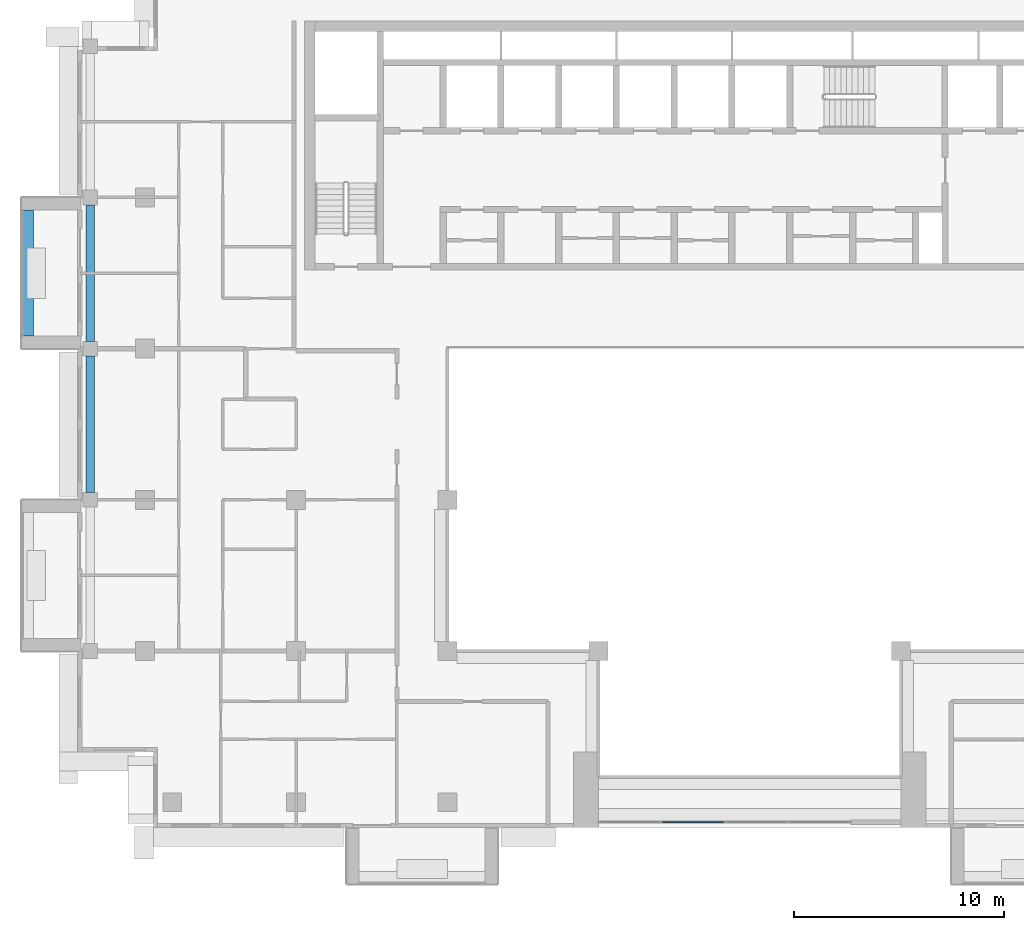
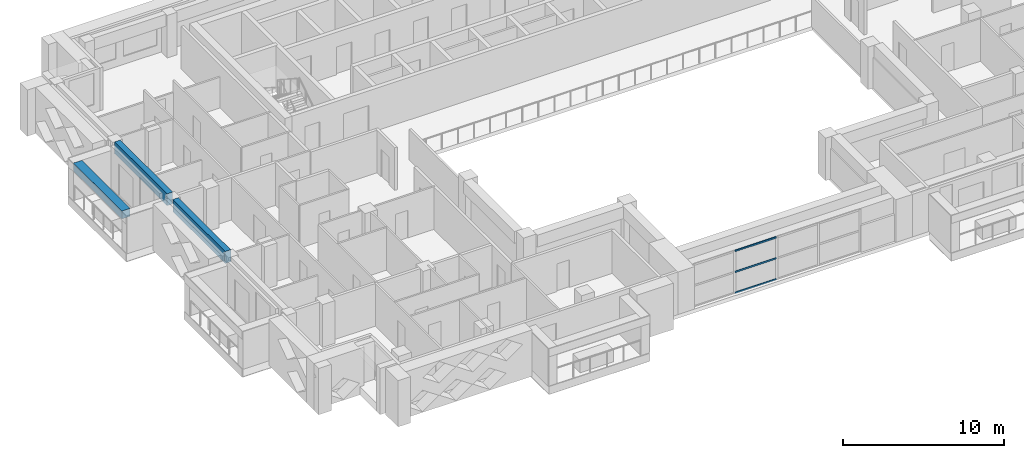
# One storey, part 3 of 19: 3 beams, 3 members, 1 element without a shape of its own.
"""IFC4 building model written with IfcOpenShell, lengths in metres."""

from ifc_helpers import new_model, si_unit, direction, frame, origin, origin_2d, place, context, subcontext, project, spatial, rectangle, extrude, source, transform, mapped, material, layer, layer_set, material_profile, profile_set, type_object, element, aggregate, save


model = new_model("IFC4")

# Units and contexts
model_context = context("Model", 3, precision=1e-05, world=origin(), true_north=direction((0.0, 1.0)))
body_context = subcontext(model_context, "Body", "Model", "MODEL_VIEW")
ifc_project = project(units=[si_unit("LENGTHUNIT", "METRE"), si_unit("AREAUNIT", "SQUARE_METRE"), si_unit("VOLUMEUNIT", "CUBIC_METRE"), si_unit("PLANEANGLEUNIT", "RADIAN"), si_unit("MASSUNIT", "GRAM", prefix="KILO")], contexts=[model_context])

# Site, building, storey
site_placement = place(None, origin())
site = spatial("IfcSite", under=ifc_project, at=site_placement, CompositionType="ELEMENT")
building_placement = place(site_placement, origin())
building = spatial("IfcBuilding", under=site, at=building_placement, Name="Saffron Iwan Residences", CompositionType="ELEMENT")
storey_placement = place(building_placement, frame((0.0, 0.0, 225.5)))
storey = spatial("IfcBuildingStorey", under=building, at=storey_placement, Name="L60", CompositionType="ELEMENT", Elevation=225.5)

# Beams
ifc_material_1 = material(Name="Concrete C40/50", Category="concrete")
ifc_material_profile_1 = material_profile(ifc_material_1, rectangle(XDim=0.39990234375, YDim=0.89990234375, at=origin_2d()), Name="RC 400x900")
ifc_profile_set_1 = profile_set([ifc_material_profile_1], Name="Concrete C40/50")
beam_type_1 = type_object("IfcBeamType", Name="SPANDREL BEAM RC 400x900 C40/50 TOP 3220", PredefinedType="SPANDREL", material=ifc_profile_set_1)
shared_shape_1 = source(origin(), body_context, "Body", "SweptSolid", [
    extrude(rectangle(XDim=0.39990234375, YDim=0.89990234375, at=origin_2d()), origin(), (0.0, 0.0, 1.0), 6.5),
])
for number, where, z_axis, x_axis, name in (
    (1, (19.0, 55.550048828125, 2.77001953125), (0.0, 1.0, 0.0), (-1.0, 0.0, 0.0), "Spandrel beam"),
    (2, (19.0, 62.75, 2.77001953125), (0.0, 1.0, 0.0), (-1.0, 0.0, 0.0), "Spandrel beam"),
):
    element("IfcBeam", number, at=place(storey_placement, frame(where, z_axis=z_axis, x_axis=x_axis)), inside=storey, type_object=beam_type_1, Name=name, PredefinedType="SPANDREL", context=body_context, shape_type="MappedRepresentation", body=[
        mapped(shared_shape_1, transform((0.0, 0.0, 0.0))),
    ])

# Curtain wall, members
ifc_material_2 = material(Name="Clear glass, laminated double glazed", Category="glass")
ifc_layer = layer(ifc_material_2, 0.199951171875)
ifc_layer_set = layer_set([ifc_layer], Name="Clear glass, laminated double glazed")
curtain_wall_type = type_object("IfcCurtainWallType", Name="CW-B IWAN PORTAL", PredefinedType="NOTDEFINED", material=ifc_layer_set)
curtain_wall_placement = place(storey_placement, origin())
curtain_wall = element("IfcCurtainWall", 3, at=curtain_wall_placement, inside=storey, type_object=curtain_wall_type, Name="Iwan portal glazing L60.1", PredefinedType="NOTDEFINED")
ifc_material_3 = material(Name="Aluminium 6063-T6", Category="aluminium")
ifc_material_profile_2 = material_profile(ifc_material_3, rectangle(XDim=0.06005859375, YDim=0.1201171875, at=origin_2d()), Name="CW-B TRANSOM 60 x 120")
ifc_profile_set_2 = profile_set([ifc_material_profile_2], Name="Aluminium 6063-T6")
member_type = type_object("IfcMemberType", Name="CW-B TRANSOM 60 x 120", PredefinedType="USERDEFINED", material=ifc_profile_set_2)
shared_shape_2 = source(origin(), body_context, "Body", "SweptSolid", [
    extrude(rectangle(XDim=0.06005859375, YDim=0.1201171875, at=origin_2d()), origin(), (0.0, 0.0, 1.0), 2.93994140625),
])
member_1_placement = place(storey_placement, frame((46.22998046875, 39.85009765625, 0.030029296875), z_axis=(1.0, 0.0, 0.0), x_axis=(0.0, 1.0, 0.0)))
member_1 = element("IfcMember", 4, at=member_1_placement, type_object=member_type, Name="CW-B transom 2.1", ObjectType="TRANSOM", PredefinedType="USERDEFINED", context=body_context, shape_type="MappedRepresentation", body=[
    mapped(shared_shape_2, transform((0.0, 0.0, 0.0))),
])
member_2_placement = place(storey_placement, frame((46.22998046875, 39.85009765625, 1.610107421875), z_axis=(1.0, 0.0, 0.0), x_axis=(0.0, 1.0, 0.0)))
member_2 = element("IfcMember", 5, at=member_2_placement, type_object=member_type, Name="CW-B transom 2.2", ObjectType="TRANSOM", PredefinedType="USERDEFINED", context=body_context, shape_type="MappedRepresentation", body=[
    mapped(shared_shape_2, transform((0.0, 0.0, 0.0))),
])
member_3_placement = place(storey_placement, frame((46.22998046875, 39.85009765625, 3.18994140625), z_axis=(1.0, 0.0, 0.0), x_axis=(0.0, 1.0, 0.0)))
member_3 = element("IfcMember", 6, at=member_3_placement, type_object=member_type, Name="CW-B transom 2.3", ObjectType="TRANSOM", PredefinedType="USERDEFINED", context=body_context, shape_type="MappedRepresentation", body=[
    mapped(shared_shape_2, transform((0.0, 0.0, 0.0))),
])
aggregate(curtain_wall, [member_1, member_2, member_3])

# Beam
ifc_material_4 = material(Name="Concrete C50/60 white painted", Category="concrete")
ifc_material_profile_3 = material_profile(ifc_material_4, rectangle(XDim=0.60009765625, YDim=0.60009765625, at=origin_2d()), Name="BALCONY FASCIA BEAM 600 x 600")
ifc_profile_set_3 = profile_set([ifc_material_profile_3], Name="Concrete C50/60 white painted")
beam_type_2 = type_object("IfcBeamType", Name="BALCONY FASCIA BEAM 600 x 600", PredefinedType="BEAM", material=ifc_profile_set_3)
shared_shape_3 = source(origin(), body_context, "Body", "SweptSolid", [
    extrude(rectangle(XDim=0.60009765625, YDim=0.60009765625, at=origin_2d()), origin(), (0.0, 0.0, 1.0), 6.0),
])
beam_placement = place(storey_placement, frame((16.0, 69.0, 2.550048828125), z_axis=(0.0, -1.0, 0.0), x_axis=(1.0, 0.0, 0.0)))
element("IfcBeam", 7, at=beam_placement, inside=storey, type_object=beam_type_2, Name="Balcony fascia beam L60 F8-0", PredefinedType="BEAM", context=body_context, shape_type="MappedRepresentation", body=[
    mapped(shared_shape_3, transform((0.0, 0.0, 0.0))),
])

save(model, "model.ifc")
